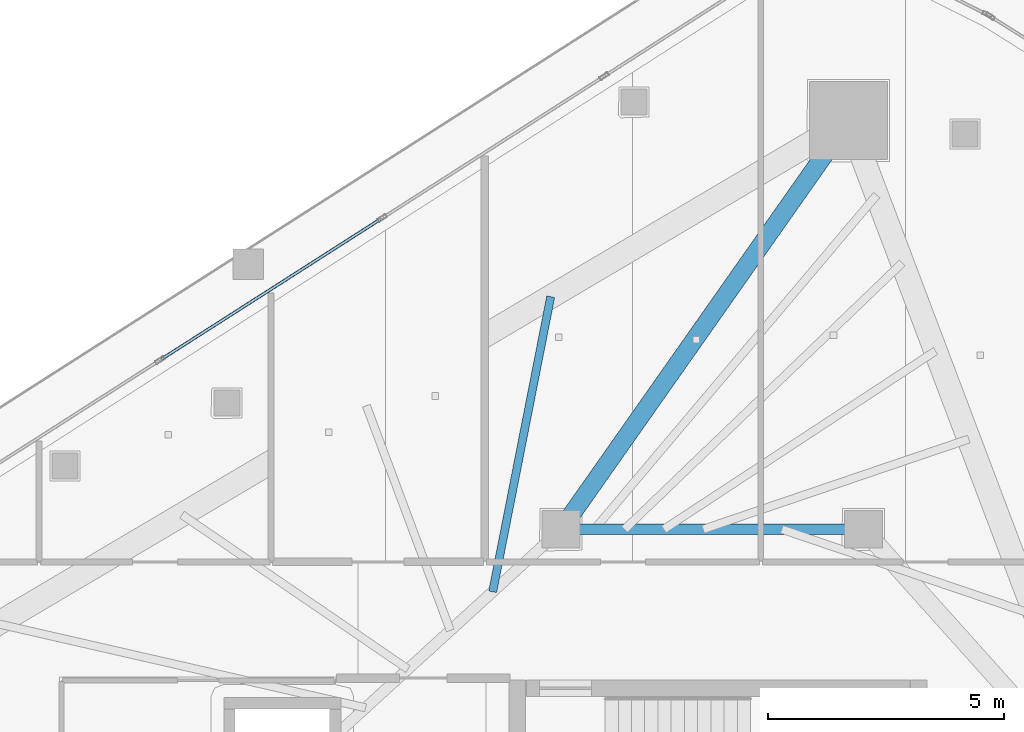
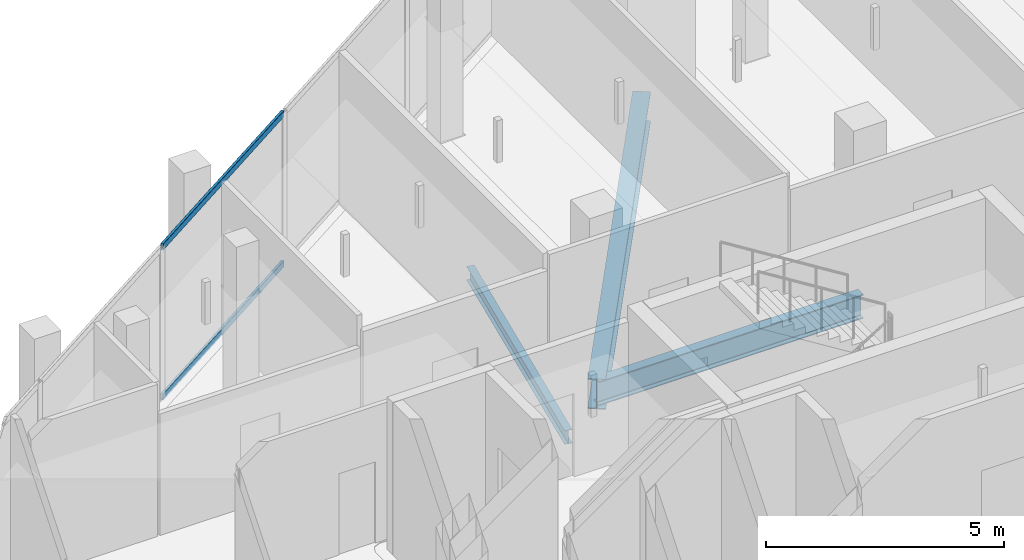
# One storey, part 18 of 36: 3 beams, 2 members, 1 element without a shape of its own.
"""IFC4 building model written with IfcOpenShell, lengths in metres."""

import ifcopenshell
import ifcopenshell.guid

model = None  # the IFC model being written
_history = None  # IfcOwnerHistory: only IFC2X3 demands one
_inside = {}  # id of a spatial element -> (the spatial element, [elements in it])
_under = {}  # id of a project, library or spatial element -> (it, [spatial elements below it])
_declared = {}  # id of a project -> (the project, [libraries it declares])
_typed = {}  # id of a type object -> (the type object, [elements of that type])
_made_of = {}  # id of a material, layer set ... -> (it, [elements and type objects made of it])


def new_model(schema):
    """Start an empty IFC model of exactly this schema.

    Asked for "IFC4X3", IfcOpenShell would pick the latest addendum, in which some entities
    have other attributes; the version numbers below select the first issue.
    IFC2X3 requires an IfcOwnerHistory on every rooted entity: one is made here for all.
    """
    global model, _history
    if schema == "IFC4X3":
        model = ifcopenshell.file(schema_version=(4, 3, 0, 0))
    else:
        model = ifcopenshell.file(schema=schema)
    _inside.clear()
    _under.clear()
    _declared.clear()
    _typed.clear()
    _made_of.clear()
    _history = None
    if model.schema == "IFC2X3":
        org = make("IfcOrganization", Name="unknown")
        user = make(
            "IfcPersonAndOrganization",
            ThePerson=make("IfcPerson", FamilyName="unknown"),
            TheOrganization=org,
        )
        app = make(
            "IfcApplication",
            ApplicationDeveloper=org,
            Version="unknown",
            ApplicationFullName="unknown",
            ApplicationIdentifier="unknown",
        )
        _history = make(
            "IfcOwnerHistory",
            OwningUser=user,
            OwningApplication=app,
            ChangeAction="ADDED",
            CreationDate=0,
        )
    return model


def make(cls, **values):
    """One entity of the class cls with the attributes given. An attribute that is None is left unset."""
    return model.create_entity(
        cls, **{name: value for name, value in values.items() if value is not None}
    )


def rooted(cls, **values):
    """An entity with a GlobalId (a new one), such as an element, a storey or a relation."""
    return make(cls, GlobalId=ifcopenshell.guid.new(), OwnerHistory=_history, **values)


def si_unit(unit_type, name, prefix=None):
    """IfcSIUnit, for example si_unit("LENGTHUNIT", "METRE", prefix="MILLI")."""
    return make("IfcSIUnit", UnitType=unit_type, Prefix=prefix, Name=name)


def assignment(units):
    """IfcUnitAssignment: the units of a project."""
    return None if units is None else make("IfcUnitAssignment", Units=units)


def point(xyz):
    """IfcCartesianPoint."""
    return None if xyz is None else make("IfcCartesianPoint", Coordinates=xyz)


def direction(xyz):
    """IfcDirection."""
    return None if xyz is None else make("IfcDirection", DirectionRatios=xyz)


def frame(location, z_axis=None, x_axis=None):
    """IfcAxis2Placement3D, a coordinate frame: its origin and axes. An axis left out is left unset."""
    return make(
        "IfcAxis2Placement3D",
        Location=point(location),
        Axis=direction(z_axis),
        RefDirection=direction(x_axis),
    )


def frame_2d(location, x_axis=None):
    """IfcAxis2Placement2D, a coordinate frame in the plane: its origin and x axis."""
    return make(
        "IfcAxis2Placement2D", Location=point(location), RefDirection=direction(x_axis)
    )


def origin():
    """The frame at (0, 0, 0) with its axes left unset."""
    return frame((0.0, 0.0, 0.0))


def origin_2d():
    """The frame at (0, 0) in the plane with its x axis left unset."""
    return frame_2d((0.0, 0.0))


def place(relative_to, where):
    """IfcLocalPlacement: puts the frame where relative to a parent placement (None: the world)."""
    return make(
        "IfcLocalPlacement", PlacementRelTo=relative_to, RelativePlacement=where
    )


def context(
    kind, dimensions, precision=None, world=None, true_north=None, identifier=None
):
    """IfcGeometricRepresentationContext, for example the 3D "Model" context."""
    return make(
        "IfcGeometricRepresentationContext",
        ContextIdentifier=identifier,
        ContextType=kind,
        CoordinateSpaceDimension=dimensions,
        Precision=precision,
        WorldCoordinateSystem=world,
        TrueNorth=true_north,
    )


def subcontext(parent, identifier, kind, view, scale=None):
    """IfcGeometricRepresentationSubContext, for example "Body" below "Model"."""
    return make(
        "IfcGeometricRepresentationSubContext",
        ContextIdentifier=identifier,
        ContextType=kind,
        ParentContext=parent,
        TargetScale=scale,
        TargetView=view,
    )


def project(units=None, contexts=None):
    """IfcProject with its units and contexts."""
    return rooted(
        "IfcProject",
        Name="project",
        RepresentationContexts=contexts,
        UnitsInContext=assignment(units),
    )


def spatial(cls, under=None, at=None, **own):
    """A site, building, storey or space (cls), placed at a placement, below another one or the project."""
    s = rooted(cls, ObjectPlacement=at, **own)
    if under is not None:
        _under.setdefault(under.id(), (under, []))[1].append(s)
    return s


def profile(cls, at=None, kind="AREA", **sizes):
    """A parametric profile (cls). Its sizes go by their IFC names, for example OverallWidth=200.0."""
    return make(cls, ProfileType=kind, Position=at, **sizes)


def hollow_rectangle(**sizes):
    """IfcRectangleHollowProfileDef."""
    return profile("IfcRectangleHollowProfileDef", **sizes)


def i_section(**sizes):
    """IfcIShapeProfileDef."""
    return profile("IfcIShapeProfileDef", **sizes)


def extrude(swept, where, along, depth):
    """IfcExtrudedAreaSolid: the profile swept, set in the frame where, extruded along a direction by depth."""
    return make(
        "IfcExtrudedAreaSolid",
        SweptArea=swept,
        Position=where,
        ExtrudedDirection=direction(along),
        Depth=depth,
    )


def shape(context_of_items, identifier, shape_type, items):
    """IfcShapeRepresentation: the items that make up one representation, for example the "Body"."""
    return make(
        "IfcShapeRepresentation",
        ContextOfItems=context_of_items,
        RepresentationIdentifier=identifier,
        RepresentationType=shape_type,
        Items=items,
    )


def material(Name=None, Category=None):
    """IfcMaterial."""
    return make("IfcMaterial", Name=Name, Category=Category)


def layer(
    of_material, thickness, ventilated=None, Name=None, Category=None, Priority=None
):
    """IfcMaterialLayer: one layer of a wall or slab, of a material (None: an air gap)."""
    return make(
        "IfcMaterialLayer",
        Material=of_material,
        LayerThickness=thickness,
        IsVentilated=ventilated,
        Name=Name,
        Category=Category,
        Priority=Priority,
    )


def layer_set(layers, Name=None):
    """IfcMaterialLayerSet."""
    return make("IfcMaterialLayerSet", MaterialLayers=layers, LayerSetName=Name)


def material_profile(
    of_material, cross_section, Name=None, Category=None, Priority=None
):
    """IfcMaterialProfile: a cross section and its material."""
    return make(
        "IfcMaterialProfile",
        Name=Name,
        Material=of_material,
        Profile=cross_section,
        Priority=Priority,
        Category=Category,
    )


def profile_set(profiles, Name=None, composite=None):
    """IfcMaterialProfileSet."""
    return make(
        "IfcMaterialProfileSet",
        Name=Name,
        MaterialProfiles=profiles,
        CompositeProfile=composite,
    )


def made_of(thing, what):
    """Note that an element or type object is made of a material, layer set ...; save() writes the relation."""
    if what is not None:
        _made_of.setdefault(what.id(), (what, []))[1].append(thing)
    return thing


def type_object(cls, material=None, **own):
    """A type object (cls), such as IfcWallType, which elements share."""
    return made_of(rooted(cls, **own), material)


def element(
    cls,
    number,
    at=None,
    inside=None,
    cuts=None,
    type_object=None,
    material=None,
    context=None,
    identifier="Body",
    shape_type=None,
    held_by="IfcProductDefinitionShape",
    body=None,
    shapes=None,
    **own,
):
    """One element of the class cls, such as IfcWall. Its Tag is "e" and its number.

    at: its placement. inside: the storey or other place that contains it. cuts: it is an
    opening in that element (IfcRelVoidsElement). A single representation is given by context,
    identifier, shape_type and body (its items); several are given by shapes. held_by: the class
    of the entity that holds the representations. save() writes the other relations.
    """
    e = rooted(cls, Tag="e%d" % number, ObjectPlacement=at, **own)
    if body is not None:
        shapes = [shape(context, identifier, shape_type, body)]
    if shapes is not None:
        e.Representation = make(held_by, Representations=shapes)
    if inside is not None:
        _inside.setdefault(inside.id(), (inside, []))[1].append(e)
    if cuts is not None:
        rooted(
            "IfcRelVoidsElement", RelatingBuildingElement=cuts, RelatedOpeningElement=e
        )
    if type_object is not None:
        _typed.setdefault(type_object.id(), (type_object, []))[1].append(e)
    return made_of(e, material)


def aggregate(whole, parts):
    """IfcRelAggregates: a whole, such as a stair, and the parts it consists of."""
    return rooted("IfcRelAggregates", RelatingObject=whole, RelatedObjects=parts)


def save(model, path):
    """Write the relations noted so far, then the file.

    IfcRelAggregates (storeys below a building ...), IfcRelContainedInSpatialStructure (elements
    in a storey), IfcRelDefinesByType, IfcRelAssociatesMaterial and IfcRelDeclares: one each for
    every whole, place, type object, material and project.
    """
    for whole, parts in _under.values():
        aggregate(whole, parts)
    for where, things in _inside.values():
        rooted(
            "IfcRelContainedInSpatialStructure",
            RelatedElements=things,
            RelatingStructure=where,
        )
    for kind, things in _typed.values():
        rooted("IfcRelDefinesByType", RelatedObjects=things, RelatingType=kind)
    for what, things in _made_of.values():
        rooted("IfcRelAssociatesMaterial", RelatedObjects=things, RelatingMaterial=what)
    for by, libraries in _declared.values():
        rooted("IfcRelDeclares", RelatingContext=by, RelatedDefinitions=libraries)
    model.write(path)


model = new_model("IFC4")

# Units and contexts
model_context = context("Model", 3, precision=1e-05, world=origin(), true_north=direction((0.0, 1.0)))
body_context = subcontext(model_context, "Body", "Model", "MODEL_VIEW")
ifc_project = project(units=[si_unit("LENGTHUNIT", "METRE"), si_unit("AREAUNIT", "SQUARE_METRE"), si_unit("VOLUMEUNIT", "CUBIC_METRE"), si_unit("PLANEANGLEUNIT", "RADIAN"), si_unit("MASSUNIT", "GRAM", prefix="KILO")], contexts=[model_context])

# Site, building, storey
site_placement = place(None, origin())
site = spatial("IfcSite", under=ifc_project, at=site_placement, CompositionType="ELEMENT")
building_placement = place(site_placement, origin())
building = spatial("IfcBuilding", under=site, at=building_placement, Name="Qorvath Tower", CompositionType="ELEMENT")
storey_placement = place(building_placement, frame((0.0, 0.0, 272.39990234375)))
storey = spatial("IfcBuildingStorey", under=building, at=storey_placement, Name="L63", CompositionType="ELEMENT", Elevation=272.39990234375)

# Beams
ifc_material_1 = material(Name="Steel ASTM A992 Grade 50", Category="steel")
ifc_material_profile_1 = material_profile(ifc_material_1, i_section(OverallWidth=0.381103515625, OverallDepth=0.77294921875, WebThickness=0.0166015625, FlangeThickness=0.027099609375, FilletRadius=0.01904296875, at=origin_2d()), Name="W30x173")
ifc_profile_set_1 = profile_set([ifc_material_profile_1], Name="Steel ASTM A992 Grade 50")
beam_type_1 = type_object("IfcBeamType", Name="BM-FG3", PredefinedType="BEAM", material=ifc_profile_set_1)
beam_1_placement = place(storey_placement, frame((-23.60009765625, 11.449951171875, -0.67626953125), z_axis=(0.575274974004, 0.81796008722, 0.0), x_axis=(-0.81796008722, 0.575274974004, 0.0)))
element("IfcBeam", 1, at=beam_1_placement, inside=storey, type_object=beam_type_1, Name="Radial Floor Girder CC1-MC6 L63", PredefinedType="BEAM", context=body_context, shape_type="SweptSolid", body=[
    extrude(i_section(OverallWidth=0.381103515625, OverallDepth=0.77294921875, WebThickness=0.0166015625, FlangeThickness=0.027099609375, FilletRadius=0.01904296875, at=origin_2d()), origin(), (0.0, 0.0, 1.0), 10.5771484375),
])
ifc_material_2 = material(Name="Steel ASTM A992 Grade 50", Category="steel")
ifc_material_profile_2 = material_profile(ifc_material_2, i_section(OverallWidth=0.22998046875, OverallDepth=0.616943359375, WebThickness=0.01318359375, FlangeThickness=0.022216796875, FilletRadius=0.014892578125, at=origin_2d()), Name="W24x94")
ifc_profile_set_2 = profile_set([ifc_material_profile_2], Name="Steel ASTM A992 Grade 50")
beam_type_2 = type_object("IfcBeamType", Name="BM-FG6", PredefinedType="BEAM", material=ifc_profile_set_2)
beam_2_placement = place(storey_placement, frame((-23.60009765625, 11.449951171875, -0.598388671875), z_axis=(1.0, 0.0, 0.0), x_axis=(0.0, 1.0, 0.0)))
element("IfcBeam", 2, at=beam_2_placement, inside=storey, type_object=beam_type_2, Name="Core Ring Girder CC1-CC2 L63", PredefinedType="BEAM", context=body_context, shape_type="SweptSolid", body=[
    extrude(i_section(OverallWidth=0.22998046875, OverallDepth=0.616943359375, WebThickness=0.01318359375, FlangeThickness=0.022216796875, FilletRadius=0.014892578125, at=origin_2d()), origin(), (0.0, 0.0, 1.0), 6.400146484375),
])
ifc_material_3 = material(Name="Steel ASTM A992 Grade 50", Category="steel")
ifc_material_profile_3 = material_profile(ifc_material_3, i_section(OverallWidth=0.1708984375, OverallDepth=0.35107421875, WebThickness=0.0068359375, FlangeThickness=0.009765625, FilletRadius=0.010009765625, at=origin_2d()), Name="W14x30")
ifc_profile_set_3 = profile_set([ifc_material_profile_3], Name="Steel ASTM A992 Grade 50")
beam_type_3 = type_object("IfcBeamType", Name="BM-FJ4", PredefinedType="JOIST", material=ifc_profile_set_3)
beam_3_placement = place(storey_placement, frame((-25.049072265625, 10.126953125, -0.46533203125), z_axis=(0.193040016911, 0.981190884523, 0.0), x_axis=(-0.981190884523, 0.193040016911, 0.0)))
element("IfcBeam", 3, at=beam_3_placement, inside=storey, type_object=beam_type_3, Name="Composite Floor Joist NW6 L63", PredefinedType="JOIST", context=body_context, shape_type="SweptSolid", body=[
    extrude(i_section(OverallWidth=0.1708984375, OverallDepth=0.35107421875, WebThickness=0.0068359375, FlangeThickness=0.009765625, FilletRadius=0.010009765625, at=origin_2d()), origin(), (0.0, 0.0, 1.0), 6.366455078125),
])

# Curtain wall, members
ifc_material_4 = material(Name="Anodised aluminium and triple low-E glass", Category="aluminium")
ifc_layer = layer(ifc_material_4, 0.179931640625)
ifc_layer_set = layer_set([ifc_layer], Name="CW-SYS-4")
curtain_wall_type = type_object("IfcCurtainWallType", Name="CW-SYS-4", PredefinedType="NOTDEFINED", material=ifc_layer_set)
curtain_wall_placement = place(storey_placement, origin())
curtain_wall = element("IfcCurtainWall", 4, at=curtain_wall_placement, inside=storey, type_object=curtain_wall_type, Name="Curtain Wall CW-4 CW-T-L63-16.1", PredefinedType="NOTDEFINED")
ifc_material_5 = material(Name="Anodised aluminium 6063-T6", Category="aluminium")
ifc_material_profile_4 = material_profile(ifc_material_5, hollow_rectangle(XDim=0.06494140625, YDim=0.159912109375, WallThickness=0.00341796875, InnerFilletRadius=0.00341796875, OuterFilletRadius=0.007080078125, at=origin_2d()), Name="CWT 160x65")
ifc_profile_set_4 = profile_set([ifc_material_profile_4], Name="Anodised aluminium 6063-T6")
member_type = type_object("IfcMemberType", Name="CWT-160", PredefinedType="USERDEFINED", material=ifc_profile_set_4)
member_1_placement = place(storey_placement, frame((-27.422119140625, 18.015380859375, 0.032470703125), z_axis=(-0.842597346925, -0.538544065935, 0.0), x_axis=(0.538544065935, -0.842597346925, 0.0)))
member_1 = element("IfcMember", 5, at=member_1_placement, type_object=member_type, Name="CW-4 transom 3.1", ObjectType="TRANSOM", PredefinedType="USERDEFINED", context=body_context, shape_type="SweptSolid", body=[
    extrude(hollow_rectangle(XDim=0.06494140625, YDim=0.159912109375, WallThickness=0.00341796875, InnerFilletRadius=0.00341796875, OuterFilletRadius=0.007080078125, at=origin_2d()), origin(), (0.0, 0.0, 1.0), 5.506591796875),
])
member_2_placement = place(storey_placement, frame((-27.422119140625, 18.015380859375, 3.877685546875), z_axis=(-0.842597346925, -0.538544065935, 0.0), x_axis=(0.538544065935, -0.842597346925, 0.0)))
member_2 = element("IfcMember", 6, at=member_2_placement, type_object=member_type, Name="CW-4 transom 3.2", ObjectType="TRANSOM", PredefinedType="USERDEFINED", context=body_context, shape_type="SweptSolid", body=[
    extrude(hollow_rectangle(XDim=0.06494140625, YDim=0.159912109375, WallThickness=0.00341796875, InnerFilletRadius=0.00341796875, OuterFilletRadius=0.007080078125, at=origin_2d()), origin(), (0.0, 0.0, 1.0), 5.506591796875),
])
aggregate(curtain_wall, [member_1, member_2])

save(model, "model.ifc")
